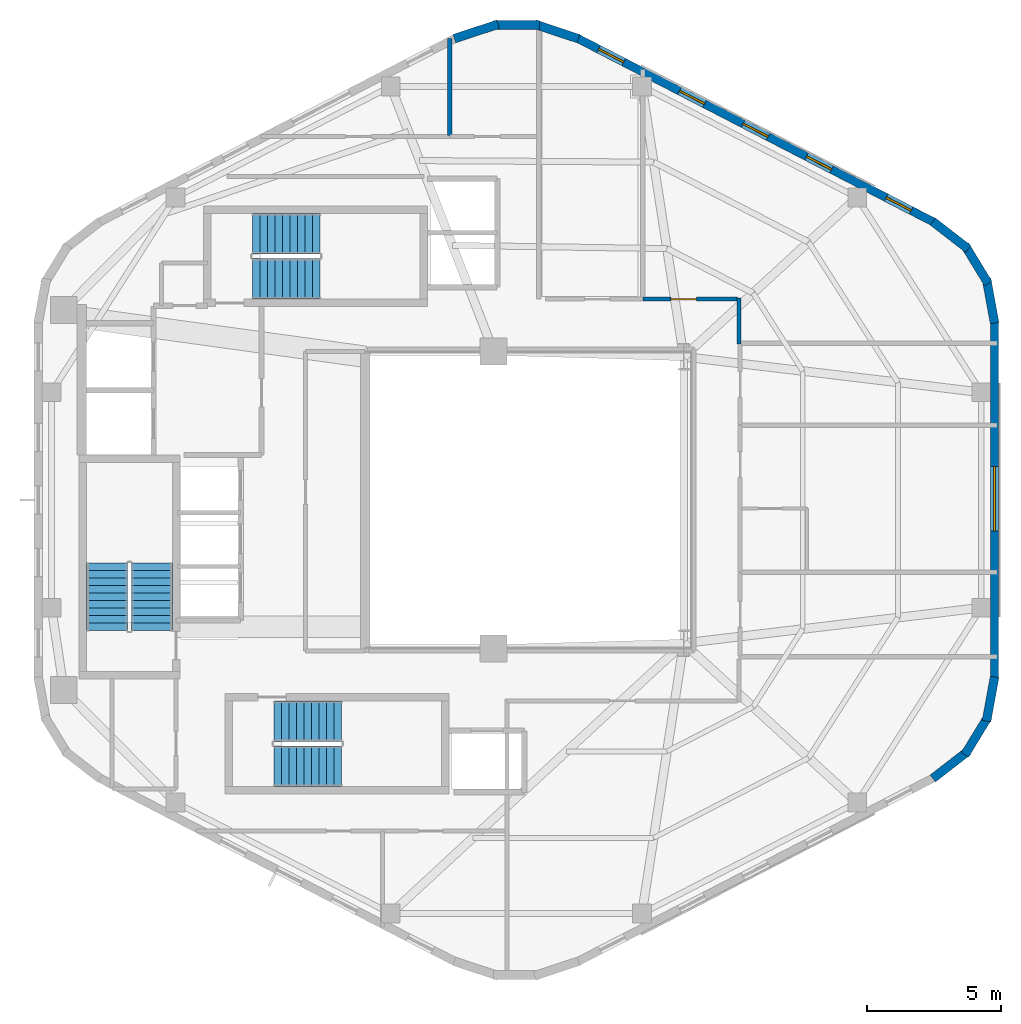
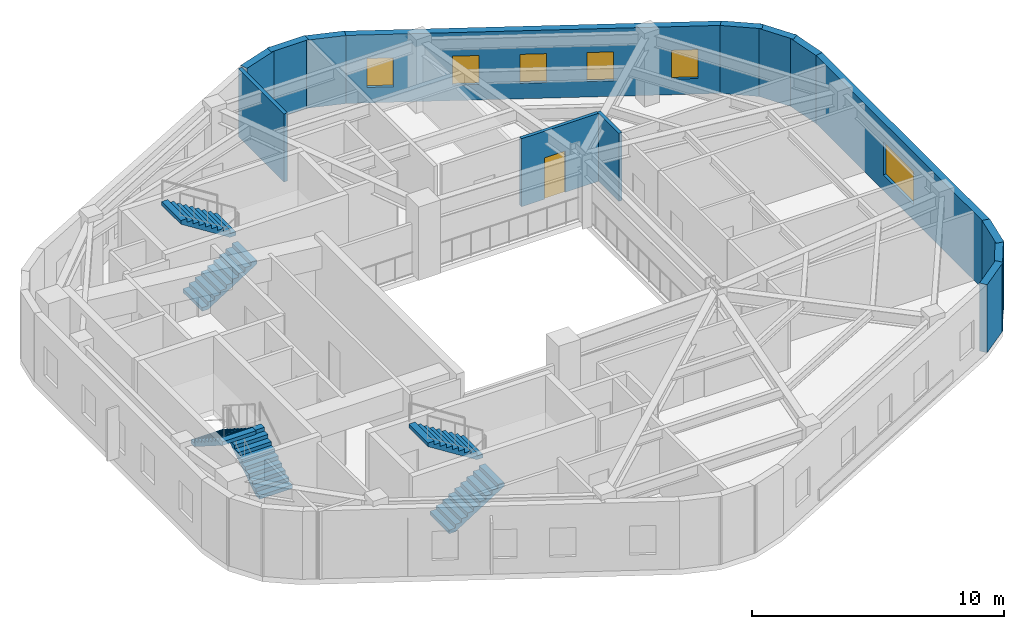
# One storey, part 5 of 7: 14 walls, 6 stair flights, 6 windows, 1 door, 7 openings, 3 elements without a shape of their own.
"""IFC4 building model written with IfcOpenShell, lengths in metres."""

import ifcopenshell
import ifcopenshell.guid

model = None  # the IFC model being written
_history = None  # IfcOwnerHistory: only IFC2X3 demands one
_inside = {}  # id of a spatial element -> (the spatial element, [elements in it])
_under = {}  # id of a project, library or spatial element -> (it, [spatial elements below it])
_declared = {}  # id of a project -> (the project, [libraries it declares])
_typed = {}  # id of a type object -> (the type object, [elements of that type])
_made_of = {}  # id of a material, layer set ... -> (it, [elements and type objects made of it])


def new_model(schema):
    """Start an empty IFC model of exactly this schema.

    Asked for "IFC4X3", IfcOpenShell would pick the latest addendum, in which some entities
    have other attributes; the version numbers below select the first issue.
    IFC2X3 requires an IfcOwnerHistory on every rooted entity: one is made here for all.
    """
    global model, _history
    if schema == "IFC4X3":
        model = ifcopenshell.file(schema_version=(4, 3, 0, 0))
    else:
        model = ifcopenshell.file(schema=schema)
    _inside.clear()
    _under.clear()
    _declared.clear()
    _typed.clear()
    _made_of.clear()
    _history = None
    if model.schema == "IFC2X3":
        org = make("IfcOrganization", Name="unknown")
        user = make(
            "IfcPersonAndOrganization",
            ThePerson=make("IfcPerson", FamilyName="unknown"),
            TheOrganization=org,
        )
        app = make(
            "IfcApplication",
            ApplicationDeveloper=org,
            Version="unknown",
            ApplicationFullName="unknown",
            ApplicationIdentifier="unknown",
        )
        _history = make(
            "IfcOwnerHistory",
            OwningUser=user,
            OwningApplication=app,
            ChangeAction="ADDED",
            CreationDate=0,
        )
    return model


def make(cls, **values):
    """One entity of the class cls with the attributes given. An attribute that is None is left unset."""
    return model.create_entity(
        cls, **{name: value for name, value in values.items() if value is not None}
    )


def rooted(cls, **values):
    """An entity with a GlobalId (a new one), such as an element, a storey or a relation."""
    return make(cls, GlobalId=ifcopenshell.guid.new(), OwnerHistory=_history, **values)


def si_unit(unit_type, name, prefix=None):
    """IfcSIUnit, for example si_unit("LENGTHUNIT", "METRE", prefix="MILLI")."""
    return make("IfcSIUnit", UnitType=unit_type, Prefix=prefix, Name=name)


def assignment(units):
    """IfcUnitAssignment: the units of a project."""
    return None if units is None else make("IfcUnitAssignment", Units=units)


def point(xyz):
    """IfcCartesianPoint."""
    return None if xyz is None else make("IfcCartesianPoint", Coordinates=xyz)


def direction(xyz):
    """IfcDirection."""
    return None if xyz is None else make("IfcDirection", DirectionRatios=xyz)


def frame(location, z_axis=None, x_axis=None):
    """IfcAxis2Placement3D, a coordinate frame: its origin and axes. An axis left out is left unset."""
    return make(
        "IfcAxis2Placement3D",
        Location=point(location),
        Axis=direction(z_axis),
        RefDirection=direction(x_axis),
    )


def frame_2d(location, x_axis=None):
    """IfcAxis2Placement2D, a coordinate frame in the plane: its origin and x axis."""
    return make(
        "IfcAxis2Placement2D", Location=point(location), RefDirection=direction(x_axis)
    )


def origin():
    """The frame at (0, 0, 0) with its axes left unset."""
    return frame((0.0, 0.0, 0.0))


def place(relative_to, where):
    """IfcLocalPlacement: puts the frame where relative to a parent placement (None: the world)."""
    return make(
        "IfcLocalPlacement", PlacementRelTo=relative_to, RelativePlacement=where
    )


def context(
    kind, dimensions, precision=None, world=None, true_north=None, identifier=None
):
    """IfcGeometricRepresentationContext, for example the 3D "Model" context."""
    return make(
        "IfcGeometricRepresentationContext",
        ContextIdentifier=identifier,
        ContextType=kind,
        CoordinateSpaceDimension=dimensions,
        Precision=precision,
        WorldCoordinateSystem=world,
        TrueNorth=true_north,
    )


def subcontext(parent, identifier, kind, view, scale=None):
    """IfcGeometricRepresentationSubContext, for example "Body" below "Model"."""
    return make(
        "IfcGeometricRepresentationSubContext",
        ContextIdentifier=identifier,
        ContextType=kind,
        ParentContext=parent,
        TargetScale=scale,
        TargetView=view,
    )


def project(units=None, contexts=None):
    """IfcProject with its units and contexts."""
    return rooted(
        "IfcProject",
        Name="project",
        RepresentationContexts=contexts,
        UnitsInContext=assignment(units),
    )


def spatial(cls, under=None, at=None, **own):
    """A site, building, storey or space (cls), placed at a placement, below another one or the project."""
    s = rooted(cls, ObjectPlacement=at, **own)
    if under is not None:
        _under.setdefault(under.id(), (under, []))[1].append(s)
    return s


def polyline(points):
    """IfcPolyline through the points."""
    return make("IfcPolyline", Points=[point(p) for p in points])


def profile(cls, at=None, kind="AREA", **sizes):
    """A parametric profile (cls). Its sizes go by their IFC names, for example OverallWidth=200.0."""
    return make(cls, ProfileType=kind, Position=at, **sizes)


def rectangle(**sizes):
    """IfcRectangleProfileDef."""
    return profile("IfcRectangleProfileDef", **sizes)


def outline(outer, holes=None, kind="AREA"):
    """IfcArbitraryClosedProfileDef: a profile drawn as a closed curve; with holes, ...WithVoids."""
    if holes is None:
        return make("IfcArbitraryClosedProfileDef", ProfileType=kind, OuterCurve=outer)
    return make(
        "IfcArbitraryProfileDefWithVoids",
        ProfileType=kind,
        OuterCurve=outer,
        InnerCurves=holes,
    )


def extrude(swept, where, along, depth):
    """IfcExtrudedAreaSolid: the profile swept, set in the frame where, extruded along a direction by depth."""
    return make(
        "IfcExtrudedAreaSolid",
        SweptArea=swept,
        Position=where,
        ExtrudedDirection=direction(along),
        Depth=depth,
    )


def shape(context_of_items, identifier, shape_type, items):
    """IfcShapeRepresentation: the items that make up one representation, for example the "Body"."""
    return make(
        "IfcShapeRepresentation",
        ContextOfItems=context_of_items,
        RepresentationIdentifier=identifier,
        RepresentationType=shape_type,
        Items=items,
    )


def material(Name=None, Category=None):
    """IfcMaterial."""
    return make("IfcMaterial", Name=Name, Category=Category)


def layer(
    of_material, thickness, ventilated=None, Name=None, Category=None, Priority=None
):
    """IfcMaterialLayer: one layer of a wall or slab, of a material (None: an air gap)."""
    return make(
        "IfcMaterialLayer",
        Material=of_material,
        LayerThickness=thickness,
        IsVentilated=ventilated,
        Name=Name,
        Category=Category,
        Priority=Priority,
    )


def layer_set(layers, Name=None):
    """IfcMaterialLayerSet."""
    return make("IfcMaterialLayerSet", MaterialLayers=layers, LayerSetName=Name)


def made_of(thing, what):
    """Note that an element or type object is made of a material, layer set ...; save() writes the relation."""
    if what is not None:
        _made_of.setdefault(what.id(), (what, []))[1].append(thing)
    return thing


def type_object(cls, material=None, **own):
    """A type object (cls), such as IfcWallType, which elements share."""
    return made_of(rooted(cls, **own), material)


def element(
    cls,
    number,
    at=None,
    inside=None,
    cuts=None,
    type_object=None,
    material=None,
    context=None,
    identifier="Body",
    shape_type=None,
    held_by="IfcProductDefinitionShape",
    body=None,
    shapes=None,
    **own,
):
    """One element of the class cls, such as IfcWall. Its Tag is "e" and its number.

    at: its placement. inside: the storey or other place that contains it. cuts: it is an
    opening in that element (IfcRelVoidsElement). A single representation is given by context,
    identifier, shape_type and body (its items); several are given by shapes. held_by: the class
    of the entity that holds the representations. save() writes the other relations.
    """
    e = rooted(cls, Tag="e%d" % number, ObjectPlacement=at, **own)
    if body is not None:
        shapes = [shape(context, identifier, shape_type, body)]
    if shapes is not None:
        e.Representation = make(held_by, Representations=shapes)
    if inside is not None:
        _inside.setdefault(inside.id(), (inside, []))[1].append(e)
    if cuts is not None:
        rooted(
            "IfcRelVoidsElement", RelatingBuildingElement=cuts, RelatedOpeningElement=e
        )
    if type_object is not None:
        _typed.setdefault(type_object.id(), (type_object, []))[1].append(e)
    return made_of(e, material)


def fill(opening, filler):
    """IfcRelFillsElement: the door or window that sits in an opening."""
    return rooted(
        "IfcRelFillsElement",
        RelatingOpeningElement=opening,
        RelatedBuildingElement=filler,
    )


def aggregate(whole, parts):
    """IfcRelAggregates: a whole, such as a stair, and the parts it consists of."""
    return rooted("IfcRelAggregates", RelatingObject=whole, RelatedObjects=parts)


def save(model, path):
    """Write the relations noted so far, then the file.

    IfcRelAggregates (storeys below a building ...), IfcRelContainedInSpatialStructure (elements
    in a storey), IfcRelDefinesByType, IfcRelAssociatesMaterial and IfcRelDeclares: one each for
    every whole, place, type object, material and project.
    """
    for whole, parts in _under.values():
        aggregate(whole, parts)
    for where, things in _inside.values():
        rooted(
            "IfcRelContainedInSpatialStructure",
            RelatedElements=things,
            RelatingStructure=where,
        )
    for kind, things in _typed.values():
        rooted("IfcRelDefinesByType", RelatedObjects=things, RelatingType=kind)
    for what, things in _made_of.values():
        rooted("IfcRelAssociatesMaterial", RelatedObjects=things, RelatingMaterial=what)
    for by, libraries in _declared.values():
        rooted("IfcRelDeclares", RelatingContext=by, RelatedDefinitions=libraries)
    model.write(path)


model = new_model("IFC4")

# Units and contexts
model_context = context("Model", 3, precision=1e-05, world=origin(), true_north=direction((0.0, 1.0)))
body_context = subcontext(model_context, "Body", "Model", "MODEL_VIEW")
ifc_project = project(units=[si_unit("LENGTHUNIT", "METRE"), si_unit("AREAUNIT", "SQUARE_METRE"), si_unit("VOLUMEUNIT", "CUBIC_METRE"), si_unit("PLANEANGLEUNIT", "RADIAN"), si_unit("MASSUNIT", "GRAM", prefix="KILO"), si_unit("THERMODYNAMICTEMPERATUREUNIT", "KELVIN"), si_unit("POWERUNIT", "WATT")], contexts=[model_context])

# Site, building, storey
site_placement = place(None, origin())
site = spatial("IfcSite", under=ifc_project, at=site_placement, CompositionType="ELEMENT")
building_placement = place(site_placement, origin())
building = spatial("IfcBuilding", under=site, at=building_placement, Name="Skarre Station Tower", CompositionType="ELEMENT")
storey_placement = place(building_placement, frame((0.0, 0.0, 263.199951171875)))
storey = spatial("IfcBuildingStorey", under=building, at=storey_placement, Name="L72", CompositionType="ELEMENT", Elevation=263.199951171875)

# Wall
ifc_material_1 = material(Name="Acoustic Steel-Stud Gypsum Partition", Category="steel")
ifc_layer_1 = layer(ifc_material_1, 0.14990234375, Name="Acoustic Steel-Stud Gypsum Partition")
ifc_layer_set_1 = layer_set([ifc_layer_1], Name="Acoustic Steel-Stud Gypsum Partition")
wall_type_1 = type_object("IfcWallType", Name="Fire-Rated Corridor Acoustic Partition 150", PredefinedType="PARTITIONING", material=ifc_layer_set_1)
wall_1_placement = place(storey_placement, frame((41.52001953125, 29.820068359375, 0.0), z_axis=(0.0, 0.0, 1.0), x_axis=(0.0, 1.0, 0.0)))
element("IfcWall", 1, at=wall_1_placement, inside=storey, type_object=wall_type_1, Name="L72 Interior Partition WL-PT-L72-CORR-NER", PredefinedType="PARTITIONING", context=body_context, shape_type="SweptSolid", body=[
    extrude(rectangle(XDim=1.719970703125, YDim=0.14990234375, at=frame_2d((0.85986328125, 0.0))), origin(), (0.0, 0.0, 1.0), 3.2900390625),
])

# Wall, opening, door
wall_2_placement = place(storey_placement, frame((41.449951171875, 31.5, 0.0), z_axis=(0.0, 0.0, 1.0), x_axis=(-1.0, 0.0, 0.0)))
wall_2 = element("IfcWall", 2, at=wall_2_placement, inside=storey, type_object=wall_type_1, Name="L72 Interior Partition WL-PT-L72-NW2-CW", PredefinedType="PARTITIONING", context=body_context, shape_type="SweptSolid", body=[
    extrude(rectangle(XDim=3.52783203125, YDim=0.14990234375, at=frame_2d((1.763916015625, 0.0))), origin(), (0.0, 0.0, 1.0), 3.2900390625),
])
opening_1_placement = place(wall_2_placement, frame((1.52392578125, 0.0, 0.0)))
opening_1 = element("IfcOpeningElement", 3, at=opening_1_placement, cuts=wall_2, Name="Opening DR-FD60", PredefinedType="OPENING", context=body_context, shape_type="SweptSolid", body=[
    extrude(rectangle(XDim=0.9599609375, YDim=2.0, at=frame_2d((0.47998046875, 1.0))), frame((0.0, 0.0849609375, 0.0), z_axis=(0.0, -1.0, 0.0), x_axis=(1.0, 0.0, 0.0)), (0.0, 0.0, 1.0), 0.169921875),
])
ifc_material_2 = material(Name="Nordic White-Oak Veneer Solid-Core Fire Leaf", Category="wood")
door_type = type_object("IfcDoorType", Name="Corridor Suite Entry Fire Door FD60 960x2150", OperationType="SINGLE_SWING_LEFT", PredefinedType="DOOR", material=ifc_material_2)
door_placement = place(opening_1_placement, origin())
door = element("IfcDoor", 4, at=door_placement, inside=storey, type_object=door_type, Name="L72 NW2 Entry Door", OperationType="SINGLE_SWING_LEFT", OverallHeight=2.0, OverallWidth=0.9599609375, PredefinedType="DOOR", context=body_context, shape_type="SweptSolid", body=[
    extrude(rectangle(XDim=0.9599609375, YDim=2.0, at=frame_2d((0.47998046875, 1.0))), frame((0.0, 0.02490234375, 0.0), z_axis=(0.0, -1.0, 0.0), x_axis=(1.0, 0.0, 0.0)), (0.0, 0.0, 1.0), 0.050048828125),
])
fill(opening_1, door)

# Walls
ifc_material_3 = material(Name="Precast concrete C45/55", Category="concrete")
ifc_layer_2 = layer(ifc_material_3, 0.330078125, Name="Precast concrete C45/55")
ifc_layer_set_2 = layer_set([ifc_layer_2], Name="Precast concrete C45/55")
wall_type_2 = type_object("IfcWallType", Name="Nordic Rounded Corner Precast Wall 330", PredefinedType="STANDARD", material=ifc_layer_set_2)
wall_3_placement = place(storey_placement, frame((48.7529296875, 34.40087890625, 0.0), z_axis=(0.0, 0.0, 1.0), x_axis=(0.790691856293, -0.61221433207, 0.0)))
element("IfcWall", 5, at=wall_3_placement, inside=storey, type_object=wall_type_2, Name="L72 Rounded Corner Precast Wall F0-1", PredefinedType="STANDARD", context=body_context, shape_type="SweptSolid", body=[
    extrude(rectangle(XDim=1.67578125, YDim=0.330078125, at=frame_2d((0.837890625, 0.0))), origin(), (0.0, 0.0, 1.0), 3.2900390625),
])
wall_4_placement = place(storey_placement, frame((49.952880859375, 33.514892578125, 0.0), z_axis=(0.0, 0.0, 1.0), x_axis=(0.520325409202, -0.853968072318, 0.0)))
element("IfcWall", 6, at=wall_4_placement, inside=storey, type_object=wall_type_2, Name="L72 Rounded Corner Precast Wall F0-2", PredefinedType="STANDARD", context=body_context, shape_type="SweptSolid", body=[
    extrude(rectangle(XDim=1.677978515625, YDim=0.330078125, at=frame_2d((0.8388671875, 0.0))), origin(), (0.0, 0.0, 1.0), 3.2900390625),
])
wall_5_placement = place(storey_placement, frame((50.759033203125, 32.257080078125, 0.0), z_axis=(0.0, 0.0, 1.0), x_axis=(0.180691763044, -0.983539773862, 0.0)))
element("IfcWall", 7, at=wall_5_placement, inside=storey, type_object=wall_type_2, Name="L72 Rounded Corner Precast Wall F0-3", PredefinedType="STANDARD", context=body_context, shape_type="SweptSolid", body=[
    extrude(rectangle(XDim=1.6767578125, YDim=0.330078125, at=frame_2d((0.83837890625, 0.0))), origin(), (0.0, 0.0, 1.0), 3.2900390625),
])
wall_6_placement = place(storey_placement, frame((30.882080078125, 41.23095703125, 0.0), z_axis=(0.0, 0.0, 1.0), x_axis=(0.949713440491, 0.313120393699, 0.0)))
element("IfcWall", 8, at=wall_6_placement, inside=storey, type_object=wall_type_2, Name="L72 Rounded Corner Precast Wall F1-1", PredefinedType="STANDARD", context=body_context, shape_type="SweptSolid", body=[
    extrude(rectangle(XDim=1.7216796875, YDim=0.330078125, at=frame_2d((0.86083984375, 0.0))), origin(), (0.0, 0.0, 1.0), 3.2900390625),
])
wall_7_placement = place(storey_placement, frame((32.339111328125, 41.740966796875, 0.0), z_axis=(0.0, 0.0, 1.0), x_axis=(1.0, 0.0, 0.0)))
element("IfcWall", 9, at=wall_7_placement, inside=storey, type_object=wall_type_2, Name="L72 Rounded Corner Precast Wall F1-2", PredefinedType="STANDARD", context=body_context, shape_type="SweptSolid", body=[
    extrude(rectangle(XDim=1.721923828125, YDim=0.330078125, at=frame_2d((0.86083984375, 0.0))), origin(), (0.0, 0.0, 1.0), 3.2900390625),
])
wall_8_placement = place(storey_placement, frame((33.883056640625, 41.77001953125, 0.0), z_axis=(0.0, 0.0, 1.0), x_axis=(0.949713440491, -0.313120393699, 0.0)))
element("IfcWall", 10, at=wall_8_placement, inside=storey, type_object=wall_type_2, Name="L72 Rounded Corner Precast Wall F1-3", PredefinedType="STANDARD", context=body_context, shape_type="SweptSolid", body=[
    extrude(rectangle(XDim=1.7216796875, YDim=0.330078125, at=frame_2d((0.86083984375, 0.0))), origin(), (0.0, 0.0, 1.0), 3.2900390625),
])
wall_9_placement = place(storey_placement, frame((51.06201171875, 17.39208984375, 0.0), z_axis=(0.0, 0.0, 1.0), x_axis=(-0.180691763044, -0.983539773862, 0.0)))
element("IfcWall", 11, at=wall_9_placement, inside=storey, type_object=wall_type_2, Name="L72 Rounded Corner Precast Wall F5-1", PredefinedType="STANDARD", context=body_context, shape_type="SweptSolid", body=[
    extrude(rectangle(XDim=1.6767578125, YDim=0.330078125, at=frame_2d((0.83837890625, 0.0))), origin(), (0.0, 0.0, 1.0), 3.2900390625),
])
wall_10_placement = place(storey_placement, frame((50.825927734375, 15.91796875, 0.0), z_axis=(0.0, 0.0, 1.0), x_axis=(-0.520325409202, -0.853968072318, 0.0)))
element("IfcWall", 12, at=wall_10_placement, inside=storey, type_object=wall_type_2, Name="L72 Rounded Corner Precast Wall F5-2", PredefinedType="STANDARD", context=body_context, shape_type="SweptSolid", body=[
    extrude(rectangle(XDim=1.677978515625, YDim=0.330078125, at=frame_2d((0.8388671875, 0.0))), origin(), (0.0, 0.0, 1.0), 3.2900390625),
])
wall_11_placement = place(storey_placement, frame((50.077880859375, 14.625, 0.0), z_axis=(0.0, 0.0, 1.0), x_axis=(-0.790691856293, -0.61221433207, 0.0)))
element("IfcWall", 13, at=wall_11_placement, inside=storey, type_object=wall_type_2, Name="L72 Rounded Corner Precast Wall F5-3", PredefinedType="STANDARD", context=body_context, shape_type="SweptSolid", body=[
    extrude(rectangle(XDim=1.67578125, YDim=0.330078125, at=frame_2d((0.837890625, 0.0))), origin(), (0.0, 0.0, 1.0), 3.2900390625),
])

# Wall, openings, windows
ifc_layer_3 = layer(ifc_material_3, 0.31005859375, Name="Precast concrete C45/55")
ifc_layer_set_3 = layer_set([ifc_layer_3], Name="Precast concrete C45/55")
wall_type_3 = type_object("IfcWallType", Name="Nordic Upper-Zone Precast Facet Wall 310", PredefinedType="STANDARD", material=ifc_layer_set_3)
wall_12_placement = place(storey_placement, frame((35.43701171875, 41.27001953125, 0.0), z_axis=(0.0, 0.0, 1.0), x_axis=(0.888581481622, -0.458718814218, 0.0)))
wall_12 = element("IfcWall", 14, at=wall_12_placement, inside=storey, type_object=wall_type_3, Name="L72 Facet 0 Nordic Precast Masonry Wall", PredefinedType="STANDARD", context=body_context, shape_type="SweptSolid", body=[
    extrude(rectangle(XDim=15.076904296875, YDim=0.31005859375, at=frame_2d((7.53857421875, 0.0))), origin(), (0.0, 0.0, 1.0), 3.2900390625),
])
opening_2_placement = place(wall_12_placement, frame((0.94189453125, 0.0, 0.75)))
opening_2 = element("IfcOpeningElement", 15, at=opening_2_placement, cuts=wall_12, Name="Opening WN-SLT", PredefinedType="OPENING", context=body_context, shape_type="SweptSolid", body=[
    extrude(rectangle(XDim=1.050048828125, YDim=1.39990234375, at=frame_2d((0.52490234375, 0.699951171875))), frame((0.0, 0.1650390625, 0.0), z_axis=(0.0, -1.0, 0.0), x_axis=(1.0, 0.0, 0.0)), (0.0, 0.0, 1.0), 0.330078125),
])
opening_3_placement = place(wall_12_placement, frame((4.343994140625, 0.0, 0.75)))
opening_3 = element("IfcOpeningElement", 16, at=opening_3_placement, cuts=wall_12, Name="Opening WN-SLT", PredefinedType="OPENING", context=body_context, shape_type="SweptSolid", body=[
    extrude(rectangle(XDim=1.050048828125, YDim=1.39990234375, at=frame_2d((0.52490234375, 0.699951171875))), frame((0.0, 0.1650390625, 0.0), z_axis=(0.0, -1.0, 0.0), x_axis=(1.0, 0.0, 0.0)), (0.0, 0.0, 1.0), 0.330078125),
])
opening_4_placement = place(wall_12_placement, frame((7.012939453125, 0.0, 0.75)))
opening_4 = element("IfcOpeningElement", 17, at=opening_4_placement, cuts=wall_12, Name="Opening WN-SLT", PredefinedType="OPENING", context=body_context, shape_type="SweptSolid", body=[
    extrude(rectangle(XDim=1.050048828125, YDim=1.39990234375, at=frame_2d((0.52490234375, 0.699951171875))), frame((0.0, 0.1650390625, 0.0), z_axis=(0.0, -1.0, 0.0), x_axis=(1.0, 0.0, 0.0)), (0.0, 0.0, 1.0), 0.330078125),
])
opening_5_placement = place(wall_12_placement, frame((9.680908203125, 0.0, 0.75)))
opening_5 = element("IfcOpeningElement", 18, at=opening_5_placement, cuts=wall_12, Name="Opening WN-SLT", PredefinedType="OPENING", context=body_context, shape_type="SweptSolid", body=[
    extrude(rectangle(XDim=1.050048828125, YDim=1.39990234375, at=frame_2d((0.52490234375, 0.699951171875))), frame((0.0, 0.1650390625, 0.0), z_axis=(0.0, -1.0, 0.0), x_axis=(1.0, 0.0, 0.0)), (0.0, 0.0, 1.0), 0.330078125),
])
opening_6_placement = place(wall_12_placement, frame((13.029052734375, 0.0, 0.75)))
opening_6 = element("IfcOpeningElement", 19, at=opening_6_placement, cuts=wall_12, Name="Opening WN-SLT", PredefinedType="OPENING", context=body_context, shape_type="SweptSolid", body=[
    extrude(rectangle(XDim=1.050048828125, YDim=1.39990234375, at=frame_2d((0.52490234375, 0.699951171875))), frame((0.0, 0.1650390625, 0.0), z_axis=(0.0, -1.0, 0.0), x_axis=(1.0, 0.0, 0.0)), (0.0, 0.0, 1.0), 0.330078125),
])
ifc_material_4 = material(Name="Low-Iron Triple Glazing with Bronze Anodized Frame", Category="glass")
window_type_1 = type_object("IfcWindowType", Name="Nordic Corner Slot Window 1050x1400", PartitioningType="SINGLE_PANEL", PredefinedType="WINDOW", material=ifc_material_4)
window_1_placement = place(opening_2_placement, origin())
window_1 = element("IfcWindow", 20, at=window_1_placement, inside=storey, type_object=window_type_1, Name="L72 Facade Window WL-FAC-L72-F0-1", OverallHeight=1.39990234375, OverallWidth=1.050048828125, PartitioningType="SINGLE_PANEL", PredefinedType="WINDOW", context=body_context, shape_type="SweptSolid", body=[
    extrude(rectangle(XDim=1.050048828125, YDim=1.39990234375, at=frame_2d((0.52490234375, 0.699951171875))), frame((0.0, 0.030029296875, 0.0), z_axis=(0.0, -1.0, 0.0), x_axis=(1.0, 0.0, 0.0)), (0.0, 0.0, 1.0), 0.06005859375),
])
fill(opening_2, window_1)
window_2_placement = place(opening_3_placement, origin())
window_2 = element("IfcWindow", 21, at=window_2_placement, inside=storey, type_object=window_type_1, Name="L72 Facade Window WL-FAC-L72-F0-2", OverallHeight=1.39990234375, OverallWidth=1.050048828125, PartitioningType="SINGLE_PANEL", PredefinedType="WINDOW", context=body_context, shape_type="SweptSolid", body=[
    extrude(rectangle(XDim=1.050048828125, YDim=1.39990234375, at=frame_2d((0.52490234375, 0.699951171875))), frame((0.0, 0.030029296875, 0.0), z_axis=(0.0, -1.0, 0.0), x_axis=(1.0, 0.0, 0.0)), (0.0, 0.0, 1.0), 0.06005859375),
])
fill(opening_3, window_2)
window_3_placement = place(opening_4_placement, origin())
window_3 = element("IfcWindow", 22, at=window_3_placement, inside=storey, type_object=window_type_1, Name="L72 Facade Window WL-FAC-L72-F0-3", OverallHeight=1.39990234375, OverallWidth=1.050048828125, PartitioningType="SINGLE_PANEL", PredefinedType="WINDOW", context=body_context, shape_type="SweptSolid", body=[
    extrude(rectangle(XDim=1.050048828125, YDim=1.39990234375, at=frame_2d((0.52490234375, 0.699951171875))), frame((0.0, 0.030029296875, 0.0), z_axis=(0.0, -1.0, 0.0), x_axis=(1.0, 0.0, 0.0)), (0.0, 0.0, 1.0), 0.06005859375),
])
fill(opening_4, window_3)
window_4_placement = place(opening_5_placement, origin())
window_4 = element("IfcWindow", 23, at=window_4_placement, inside=storey, type_object=window_type_1, Name="L72 Facade Window WL-FAC-L72-F0-4", OverallHeight=1.39990234375, OverallWidth=1.050048828125, PartitioningType="SINGLE_PANEL", PredefinedType="WINDOW", context=body_context, shape_type="SweptSolid", body=[
    extrude(rectangle(XDim=1.050048828125, YDim=1.39990234375, at=frame_2d((0.52490234375, 0.699951171875))), frame((0.0, 0.030029296875, 0.0), z_axis=(0.0, -1.0, 0.0), x_axis=(1.0, 0.0, 0.0)), (0.0, 0.0, 1.0), 0.06005859375),
])
fill(opening_5, window_4)
window_5_placement = place(opening_6_placement, origin())
window_5 = element("IfcWindow", 24, at=window_5_placement, inside=storey, type_object=window_type_1, Name="L72 Facade Window WL-FAC-L72-F0-5", OverallHeight=1.39990234375, OverallWidth=1.050048828125, PartitioningType="SINGLE_PANEL", PredefinedType="WINDOW", context=body_context, shape_type="SweptSolid", body=[
    extrude(rectangle(XDim=1.050048828125, YDim=1.39990234375, at=frame_2d((0.52490234375, 0.699951171875))), frame((0.0, 0.030029296875, 0.0), z_axis=(0.0, -1.0, 0.0), x_axis=(1.0, 0.0, 0.0)), (0.0, 0.0, 1.0), 0.06005859375),
])
fill(opening_6, window_5)

# Wall, opening, window
wall_13_placement = place(storey_placement, frame((51.05810546875, 30.701904296875, 0.0), z_axis=(0.0, 0.0, 1.0), x_axis=(0.0, -1.0, 0.0)))
wall_13 = element("IfcWall", 25, at=wall_13_placement, inside=storey, type_object=wall_type_3, Name="L72 Facet 5 Nordic Precast Masonry Wall", PredefinedType="STANDARD", context=body_context, shape_type="SweptSolid", body=[
    extrude(rectangle(XDim=13.40380859375, YDim=0.31005859375, at=frame_2d((6.701904296875, 0.0))), origin(), (0.0, 0.0, 1.0), 3.2900390625),
])
opening_7_placement = place(wall_13_placement, frame((5.455078125, 0.0, 0.75)))
opening_7 = element("IfcOpeningElement", 26, at=opening_7_placement, cuts=wall_13, Name="Opening WN-Z4A", PredefinedType="OPENING", context=body_context, shape_type="SweptSolid", body=[
    extrude(rectangle(XDim=2.39990234375, YDim=1.60009765625, at=frame_2d((1.199951171875, 0.800048828125))), frame((0.0, 0.1650390625, 0.0), z_axis=(0.0, -1.0, 0.0), x_axis=(1.0, 0.0, 0.0)), (0.0, 0.0, 1.0), 0.330078125),
])
window_type_2 = type_object("IfcWindowType", Name="Nordic Crown Panorama Window 2400x1600", PartitioningType="SINGLE_PANEL", PredefinedType="WINDOW", material=ifc_material_4)
window_6_placement = place(opening_7_placement, origin())
window_6 = element("IfcWindow", 27, at=window_6_placement, inside=storey, type_object=window_type_2, Name="L72 Facade Window WL-FAC-L72-F5-1", OverallHeight=1.60009765625, OverallWidth=2.39990234375, PartitioningType="SINGLE_PANEL", PredefinedType="WINDOW", context=body_context, shape_type="SweptSolid", body=[
    extrude(rectangle(XDim=2.39990234375, YDim=1.60009765625, at=frame_2d((1.199951171875, 0.800048828125))), frame((0.0, 0.030029296875, 0.0), z_axis=(0.0, -1.0, 0.0), x_axis=(1.0, 0.0, 0.0)), (0.0, 0.0, 1.0), 0.06005859375),
])
fill(opening_7, window_6)

# Wall
ifc_layer_4 = layer(ifc_material_1, 0.1650390625, Name="Acoustic Steel-Stud Gypsum Partition")
ifc_layer_set_4 = layer_set([ifc_layer_4], Name="Acoustic Steel-Stud Gypsum Partition")
wall_type_4 = type_object("IfcWallType", Name="Suite Demising Acoustic Partition 165", PredefinedType="PARTITIONING", material=ifc_layer_set_4)
wall_14_placement = place(storey_placement, frame((30.712890625, 37.610107421875, 0.0), z_axis=(0.0, 0.0, 1.0), x_axis=(0.0, 1.0, 0.0)))
element("IfcWall", 28, at=wall_14_placement, inside=storey, type_object=wall_type_4, Name="L72 Interior Partition WL-PT-L72-NWW-P1", PredefinedType="PARTITIONING", context=body_context, shape_type="SweptSolid", body=[
    extrude(rectangle(XDim=3.626953125, YDim=0.1650390625, at=frame_2d((1.8134765625, 0.0))), origin(), (0.0, 0.0, 1.0), 3.2900390625),
])

# Stair, stair flights
ifc_material_5 = material(Name="Concrete C40/50", Category="concrete")
stair_type_1 = type_object("IfcStairType", Name="Reinforced Concrete Exit Stair ST-1", PredefinedType="HALF_TURN_STAIR", material=ifc_material_5)
stair_1_placement = place(storey_placement, origin())
stair_1 = element("IfcStair", 29, at=stair_1_placement, inside=storey, type_object=stair_type_1, Name="L72 Core Exit Stair ST-1", PredefinedType="HALF_TURN_STAIR")
stair_flight_type_1 = type_object("IfcStairFlightType", Name="Reinforced Concrete Stair Flight ST-1", PredefinedType="STRAIGHT", material=ifc_material_5)
stair_flight_1_placement = place(storey_placement, frame((19.590087890625, 19.1201171875, 0.0), z_axis=(0.0, 0.0, 1.0), x_axis=(0.0, 1.0, 0.0)))
stair_flight_1 = element("IfcStairFlight", 30, at=stair_flight_1_placement, type_object=stair_flight_type_1, Name="ST-1 flight 1", NumberOfRisers=10, NumberOfTreads=9, PredefinedType="STRAIGHT", RiserHeight=0.1775, TreadLength=0.28, context=body_context, shape_type="SweptSolid", body=[
    extrude(outline(polyline([(0.0, 0.0), (0.0, 0.177490234375), (0.280029296875, 0.177490234375), (0.280029296875, 0.35498046875), (0.56005859375, 0.35498046875), (0.56005859375, 0.532470703125), (0.840087890625, 0.532470703125), (0.840087890625, 0.7099609375), (1.1201171875, 0.7099609375), (1.1201171875, 0.887451171875), (1.39990234375, 0.887451171875), (1.39990234375, 1.06494140625), (1.679931640625, 1.06494140625), (1.679931640625, 1.242431640625), (1.9599609375, 1.242431640625), (1.9599609375, 1.419921875), (2.239990234375, 1.419921875), (2.239990234375, 1.597412109375), (2.52001953125, 1.597412109375), (2.52001953125, 1.77490234375), (2.52001953125, 1.419921875), (0.280029296875, 0.0), (0.0, 0.0)])), frame((0.0, 0.760009765625, 0.0), z_axis=(0.0, -1.0, 0.0), x_axis=(1.0, 0.0, 0.0)), (0.0, 0.0, 1.0), 1.52001953125),
])
stair_flight_2_placement = place(storey_placement, frame((17.909912109375, 21.639892578125, 1.775146484375), z_axis=(0.0, 0.0, 1.0), x_axis=(0.0, -1.0, 0.0)))
stair_flight_2 = element("IfcStairFlight", 31, at=stair_flight_2_placement, type_object=stair_flight_type_1, Name="ST-1 flight 2", NumberOfRisers=10, NumberOfTreads=9, PredefinedType="STRAIGHT", RiserHeight=0.1775, TreadLength=0.28, context=body_context, shape_type="SweptSolid", body=[
    extrude(outline(polyline([(0.0, 0.0), (0.0, 0.177490234375), (0.280029296875, 0.177490234375), (0.280029296875, 0.35498046875), (0.56005859375, 0.35498046875), (0.56005859375, 0.532470703125), (0.840087890625, 0.532470703125), (0.840087890625, 0.7099609375), (1.1201171875, 0.7099609375), (1.1201171875, 0.887451171875), (1.39990234375, 0.887451171875), (1.39990234375, 1.06494140625), (1.679931640625, 1.06494140625), (1.679931640625, 1.242431640625), (1.9599609375, 1.242431640625), (1.9599609375, 1.419921875), (2.239990234375, 1.419921875), (2.239990234375, 1.597412109375), (2.52001953125, 1.597412109375), (2.52001953125, 1.77490234375), (2.52001953125, 1.419921875), (0.280029296875, 0.0), (0.0, 0.0)])), frame((0.0, 0.760009765625, 0.0), z_axis=(0.0, -1.0, 0.0), x_axis=(1.0, 0.0, 0.0)), (0.0, 0.0, 1.0), 1.52001953125),
])
aggregate(stair_1, [stair_flight_1, stair_flight_2])

stair_type_2 = type_object("IfcStairType", Name="Reinforced Concrete Exit Stair ST-2", PredefinedType="HALF_TURN_STAIR", material=ifc_material_5)
stair_2_placement = place(storey_placement, origin())
stair_2 = element("IfcStair", 32, at=stair_2_placement, inside=storey, type_object=stair_type_2, Name="L72 Core Exit Stair ST-2", PredefinedType="HALF_TURN_STAIR")
stair_flight_type_2 = type_object("IfcStairFlightType", Name="Reinforced Concrete Stair Flight ST-2", PredefinedType="STRAIGHT", material=ifc_material_5)
stair_flight_3_placement = place(storey_placement, frame((24.14990234375, 14.06005859375, 0.0), z_axis=(0.0, 0.0, 1.0), x_axis=(1.0, 0.0, 0.0)))
stair_flight_3 = element("IfcStairFlight", 33, at=stair_flight_3_placement, type_object=stair_flight_type_2, Name="ST-2 flight 1", NumberOfRisers=10, NumberOfTreads=9, PredefinedType="STRAIGHT", RiserHeight=0.1775, TreadLength=0.28, context=body_context, shape_type="SweptSolid", body=[
    extrude(outline(polyline([(0.0, 0.0), (0.0, 0.177490234375), (0.280029296875, 0.177490234375), (0.280029296875, 0.35498046875), (0.56005859375, 0.35498046875), (0.56005859375, 0.532470703125), (0.840087890625, 0.532470703125), (0.840087890625, 0.7099609375), (1.1201171875, 0.7099609375), (1.1201171875, 0.887451171875), (1.39990234375, 0.887451171875), (1.39990234375, 1.06494140625), (1.679931640625, 1.06494140625), (1.679931640625, 1.242431640625), (1.9599609375, 1.242431640625), (1.9599609375, 1.419921875), (2.239990234375, 1.419921875), (2.239990234375, 1.597412109375), (2.52001953125, 1.597412109375), (2.52001953125, 1.77490234375), (2.52001953125, 1.419921875), (0.280029296875, 0.0), (0.0, 0.0)])), frame((0.0, 0.760009765625, 0.0), z_axis=(0.0, -1.0, 0.0), x_axis=(1.0, 0.0, 0.0)), (0.0, 0.0, 1.0), 1.52001953125),
])
stair_flight_4_placement = place(storey_placement, frame((26.669921875, 15.739990234375, 1.775146484375), z_axis=(0.0, 0.0, 1.0), x_axis=(-1.0, 0.0, 0.0)))
stair_flight_4 = element("IfcStairFlight", 34, at=stair_flight_4_placement, type_object=stair_flight_type_2, Name="ST-2 flight 2", NumberOfRisers=10, NumberOfTreads=9, PredefinedType="STRAIGHT", RiserHeight=0.1775, TreadLength=0.28, context=body_context, shape_type="SweptSolid", body=[
    extrude(outline(polyline([(0.0, 0.0), (0.0, 0.177490234375), (0.280029296875, 0.177490234375), (0.280029296875, 0.35498046875), (0.56005859375, 0.35498046875), (0.56005859375, 0.532470703125), (0.840087890625, 0.532470703125), (0.840087890625, 0.7099609375), (1.1201171875, 0.7099609375), (1.1201171875, 0.887451171875), (1.39990234375, 0.887451171875), (1.39990234375, 1.06494140625), (1.679931640625, 1.06494140625), (1.679931640625, 1.242431640625), (1.9599609375, 1.242431640625), (1.9599609375, 1.419921875), (2.239990234375, 1.419921875), (2.239990234375, 1.597412109375), (2.52001953125, 1.597412109375), (2.52001953125, 1.77490234375), (2.52001953125, 1.419921875), (0.280029296875, 0.0), (0.0, 0.0)])), frame((0.0, 0.760009765625, 0.0), z_axis=(0.0, -1.0, 0.0), x_axis=(1.0, 0.0, 0.0)), (0.0, 0.0, 1.0), 1.52001953125),
])
aggregate(stair_2, [stair_flight_3, stair_flight_4])

stair_type_3 = type_object("IfcStairType", Name="Reinforced Concrete Exit Stair ST-3", PredefinedType="HALF_TURN_STAIR", material=ifc_material_5)
stair_3_placement = place(storey_placement, origin())
stair_3 = element("IfcStair", 35, at=stair_3_placement, inside=storey, type_object=stair_type_3, Name="L72 Core Exit Stair ST-3", PredefinedType="HALF_TURN_STAIR")
stair_flight_type_3 = type_object("IfcStairFlightType", Name="Reinforced Concrete Stair Flight ST-3", PredefinedType="STRAIGHT", material=ifc_material_5)
stair_flight_5_placement = place(storey_placement, frame((23.35009765625, 32.260009765625, 0.0), z_axis=(0.0, 0.0, 1.0), x_axis=(1.0, 0.0, 0.0)))
stair_flight_5 = element("IfcStairFlight", 36, at=stair_flight_5_placement, type_object=stair_flight_type_3, Name="ST-3 flight 1", NumberOfRisers=10, NumberOfTreads=9, PredefinedType="STRAIGHT", RiserHeight=0.1775, TreadLength=0.28, context=body_context, shape_type="SweptSolid", body=[
    extrude(outline(polyline([(0.0, 0.0), (0.0, 0.177490234375), (0.280029296875, 0.177490234375), (0.280029296875, 0.35498046875), (0.56005859375, 0.35498046875), (0.56005859375, 0.532470703125), (0.840087890625, 0.532470703125), (0.840087890625, 0.7099609375), (1.1201171875, 0.7099609375), (1.1201171875, 0.887451171875), (1.39990234375, 0.887451171875), (1.39990234375, 1.06494140625), (1.679931640625, 1.06494140625), (1.679931640625, 1.242431640625), (1.9599609375, 1.242431640625), (1.9599609375, 1.419921875), (2.239990234375, 1.419921875), (2.239990234375, 1.597412109375), (2.52001953125, 1.597412109375), (2.52001953125, 1.77490234375), (2.52001953125, 1.419921875), (0.280029296875, 0.0), (0.0, 0.0)])), frame((0.0, 0.760009765625, 0.0), z_axis=(0.0, -1.0, 0.0), x_axis=(1.0, 0.0, 0.0)), (0.0, 0.0, 1.0), 1.52001953125),
])
stair_flight_6_placement = place(storey_placement, frame((25.8701171875, 33.93994140625, 1.775146484375), z_axis=(0.0, 0.0, 1.0), x_axis=(-1.0, 0.0, 0.0)))
stair_flight_6 = element("IfcStairFlight", 37, at=stair_flight_6_placement, type_object=stair_flight_type_3, Name="ST-3 flight 2", NumberOfRisers=10, NumberOfTreads=9, PredefinedType="STRAIGHT", RiserHeight=0.1775, TreadLength=0.28, context=body_context, shape_type="SweptSolid", body=[
    extrude(outline(polyline([(0.0, 0.0), (0.0, 0.177490234375), (0.280029296875, 0.177490234375), (0.280029296875, 0.35498046875), (0.56005859375, 0.35498046875), (0.56005859375, 0.532470703125), (0.840087890625, 0.532470703125), (0.840087890625, 0.7099609375), (1.1201171875, 0.7099609375), (1.1201171875, 0.887451171875), (1.39990234375, 0.887451171875), (1.39990234375, 1.06494140625), (1.679931640625, 1.06494140625), (1.679931640625, 1.242431640625), (1.9599609375, 1.242431640625), (1.9599609375, 1.419921875), (2.239990234375, 1.419921875), (2.239990234375, 1.597412109375), (2.52001953125, 1.597412109375), (2.52001953125, 1.77490234375), (2.52001953125, 1.419921875), (0.280029296875, 0.0), (0.0, 0.0)])), frame((0.0, 0.760009765625, 0.0), z_axis=(0.0, -1.0, 0.0), x_axis=(1.0, 0.0, 0.0)), (0.0, 0.0, 1.0), 1.52001953125),
])
aggregate(stair_3, [stair_flight_5, stair_flight_6])

save(model, "model.ifc")
